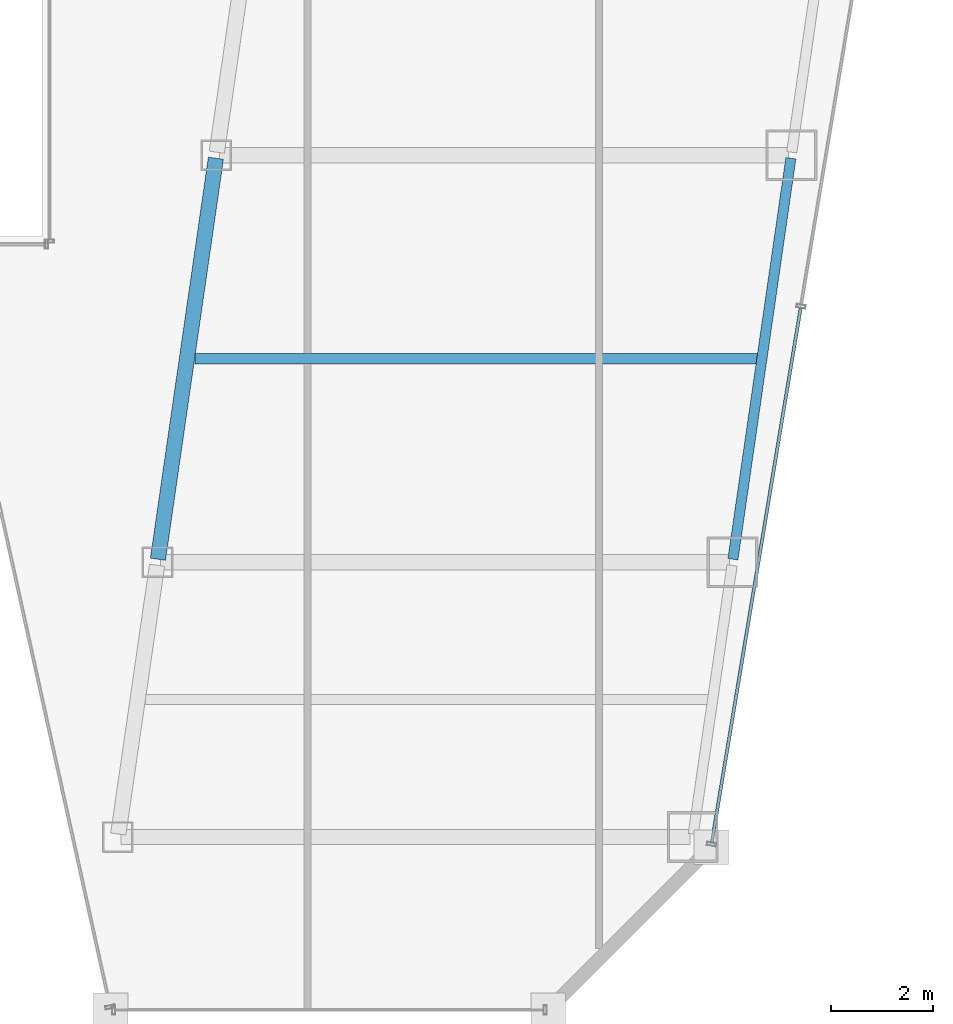
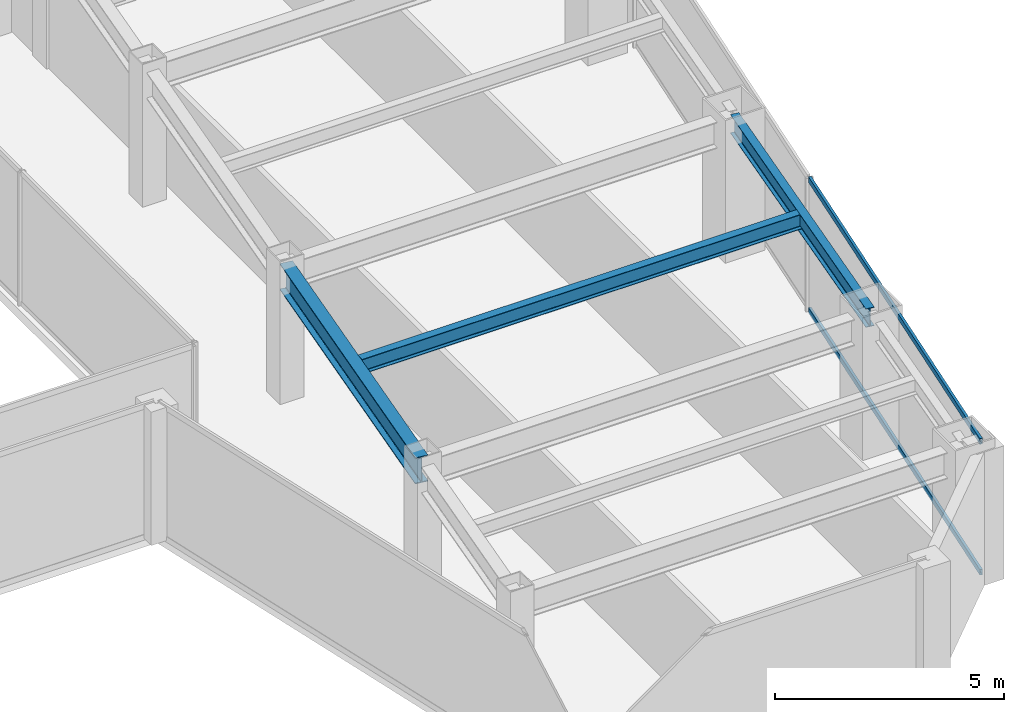
# One storey, part 16 of 38: 3 beams, 2 members, 1 element without a shape of its own.
"""IFC4 building model written with IfcOpenShell, lengths in metres."""

from ifc_helpers import new_model, si_unit, direction, frame, origin, origin_2d, place, context, subcontext, project, spatial, hollow_rectangle, i_section, extrude, material, material_profile, profile_set, type_object, element, aggregate, save


model = new_model("IFC4")

# Units and contexts
model_context = context("Model", 3, precision=1e-05, world=origin(), true_north=direction((0.0, 1.0)))
body_context = subcontext(model_context, "Body", "Model", "MODEL_VIEW")
ifc_project = project(units=[si_unit("LENGTHUNIT", "METRE"), si_unit("AREAUNIT", "SQUARE_METRE"), si_unit("VOLUMEUNIT", "CUBIC_METRE"), si_unit("PLANEANGLEUNIT", "RADIAN"), si_unit("MASSUNIT", "GRAM", prefix="KILO")], contexts=[model_context])

# Site, building, storey
site_placement = place(None, origin())
site = spatial("IfcSite", under=ifc_project, at=site_placement, CompositionType="ELEMENT")
building_placement = place(site_placement, origin())
building = spatial("IfcBuilding", under=site, at=building_placement, Name="Saevonmaru Cultural Tower", CompositionType="ELEMENT")
storey_placement = place(building_placement, frame((0.0, 0.0, 137.199951171875)))
storey = spatial("IfcBuildingStorey", under=building, at=storey_placement, Name="L29", CompositionType="ELEMENT", Elevation=137.199951171875)

# Beams
ifc_material_1 = material(Name="Steel SM355", Category="steel")
ifc_material_profile_1 = material_profile(ifc_material_1, i_section(OverallWidth=0.300048828125, OverallDepth=0.699951171875, WebThickness=0.012939453125, FlangeThickness=0.02392578125, FilletRadius=0.02587890625, at=origin_2d()), Name="H-700x300x13x24")
ifc_profile_set_1 = profile_set([ifc_material_profile_1], Name="Steel SM355")
beam_type_1 = type_object("IfcBeamType", Name="BM-G-H700", PredefinedType="BEAM", material=ifc_profile_set_1)
beam_1_placement = place(storey_placement, frame((38.08056640625, 16.059326171875, 3.199951171875), z_axis=(0.143022161059, 0.989719486241, 0.0), x_axis=(-0.989719486241, 0.143022161059, 0.0)))
element("IfcBeam", 1, at=beam_1_placement, inside=storey, type_object=beam_type_1, Name="L29 East Atrium Girder 2", PredefinedType="BEAM", context=body_context, shape_type="SweptSolid", body=[
    extrude(i_section(OverallWidth=0.300048828125, OverallDepth=0.699951171875, WebThickness=0.012939453125, FlangeThickness=0.02392578125, FilletRadius=0.02587890625, at=origin_2d()), origin(), (0.0, 0.0, 1.0), 7.963134765625),
])
ifc_material_profile_2 = material_profile(ifc_material_1, i_section(OverallWidth=0.199951171875, OverallDepth=0.39990234375, WebThickness=0.008056640625, FlangeThickness=0.012939453125, FilletRadius=0.01611328125, at=origin_2d()), Name="H-400x200x8x13")
ifc_profile_set_2 = profile_set([ifc_material_profile_2], Name="Steel SM355")
beam_type_2 = type_object("IfcBeamType", Name="BM-J-H400", PredefinedType="JOIST", material=ifc_profile_set_2)
beam_2_placement = place(storey_placement, frame((38.80810546875, 20.0, 3.35009765625), z_axis=(1.0, 0.0, 0.0), x_axis=(0.0, 1.0, 0.0)))
element("IfcBeam", 2, at=beam_2_placement, inside=storey, type_object=beam_type_2, Name="L29 East Wing Floor Joist 2", PredefinedType="JOIST", context=body_context, shape_type="SweptSolid", body=[
    extrude(i_section(OverallWidth=0.199951171875, OverallDepth=0.39990234375, WebThickness=0.008056640625, FlangeThickness=0.012939453125, FilletRadius=0.01611328125, at=origin_2d()), origin(), (0.0, 0.0, 1.0), 11.081787109375),
])
ifc_material_profile_3 = material_profile(ifc_material_1, i_section(OverallWidth=0.199951171875, OverallDepth=0.5, WebThickness=0.010009765625, FlangeThickness=0.01611328125, FilletRadius=0.02001953125, at=origin_2d()), Name="H-500x200x10x16")
ifc_profile_set_3 = profile_set([ifc_material_profile_3], Name="Steel SM355")
beam_type_3 = type_object("IfcBeamType", Name="BM-SP-H500", PredefinedType="SPANDREL", material=ifc_profile_set_3)
beam_3_placement = place(storey_placement, frame((49.380615234375, 16.059326171875, 3.300048828125), z_axis=(0.142992129437, 0.989723825579, 0.0), x_axis=(-0.989723825579, 0.142992129437, 0.0)))
element("IfcBeam", 3, at=beam_3_placement, inside=storey, type_object=beam_type_3, Name="L29 East Splayed Spandrel 2", PredefinedType="SPANDREL", context=body_context, shape_type="SweptSolid", body=[
    extrude(i_section(OverallWidth=0.199951171875, OverallDepth=0.5, WebThickness=0.010009765625, FlangeThickness=0.01611328125, FilletRadius=0.02001953125, at=origin_2d()), origin(), (0.0, 0.0, 1.0), 7.963134765625),
])

# Curtain wall, members
ifc_material_2 = material(Name="Satin Bronze Anodised Aluminium", Category="aluminium")
curtain_wall_type = type_object("IfcCurtainWallType", Name="CW-TYP-A", PredefinedType="NOTDEFINED", material=ifc_material_2)
curtain_wall_placement = place(storey_placement, origin())
curtain_wall = element("IfcCurtainWall", 4, at=curtain_wall_placement, inside=storey, type_object=curtain_wall_type, Name="L29 Unitised Curtain Wall E8", PredefinedType="NOTDEFINED")
ifc_material_profile_4 = material_profile(ifc_material_2, hollow_rectangle(XDim=0.06494140625, YDim=0.14990234375, WallThickness=0.00390625, at=origin_2d()), Name="ALU-TRAN-150x65x4")
ifc_profile_set_4 = profile_set([ifc_material_profile_4], Name="Satin Bronze Anodised Aluminium")
member_type = type_object("IfcMemberType", Name="TR-CW-150x65", PredefinedType="USERDEFINED", material=ifc_profile_set_4)
member_1_placement = place(storey_placement, frame((48.96630859375, 10.4912109375, 0.032470703125), z_axis=(0.163990079074, 0.9864619881, 0.0), x_axis=(-0.9864619881, 0.163990079074, 0.0)))
member_1 = element("IfcMember", 5, at=member_1_placement, type_object=member_type, Name="CW-TW-L29-E8 transom 1.1", ObjectType="TRANSOM", PredefinedType="USERDEFINED", context=body_context, shape_type="SweptSolid", body=[
    extrude(hollow_rectangle(XDim=0.06494140625, YDim=0.14990234375, WallThickness=0.00390625, at=origin_2d()), origin(), (0.0, 0.0, 1.0), 10.650634765625),
])
member_2_placement = place(storey_placement, frame((48.96630859375, 10.4912109375, 3.517578125), z_axis=(0.163990079074, 0.9864619881, 0.0), x_axis=(-0.9864619881, 0.163990079074, 0.0)))
member_2 = element("IfcMember", 6, at=member_2_placement, type_object=member_type, Name="CW-TW-L29-E8 transom 1.2", ObjectType="TRANSOM", PredefinedType="USERDEFINED", context=body_context, shape_type="SweptSolid", body=[
    extrude(hollow_rectangle(XDim=0.06494140625, YDim=0.14990234375, WallThickness=0.00390625, at=origin_2d()), origin(), (0.0, 0.0, 1.0), 10.650634765625),
])
aggregate(curtain_wall, [member_1, member_2])

save(model, "model.ifc")
